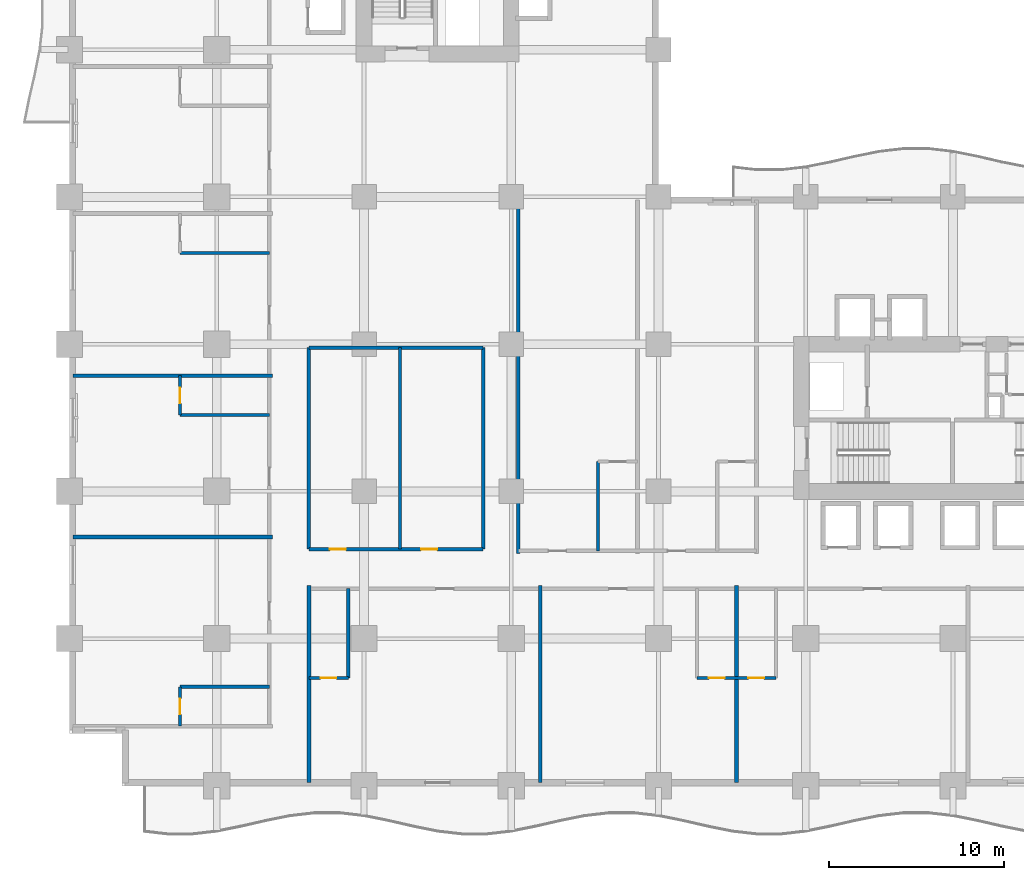
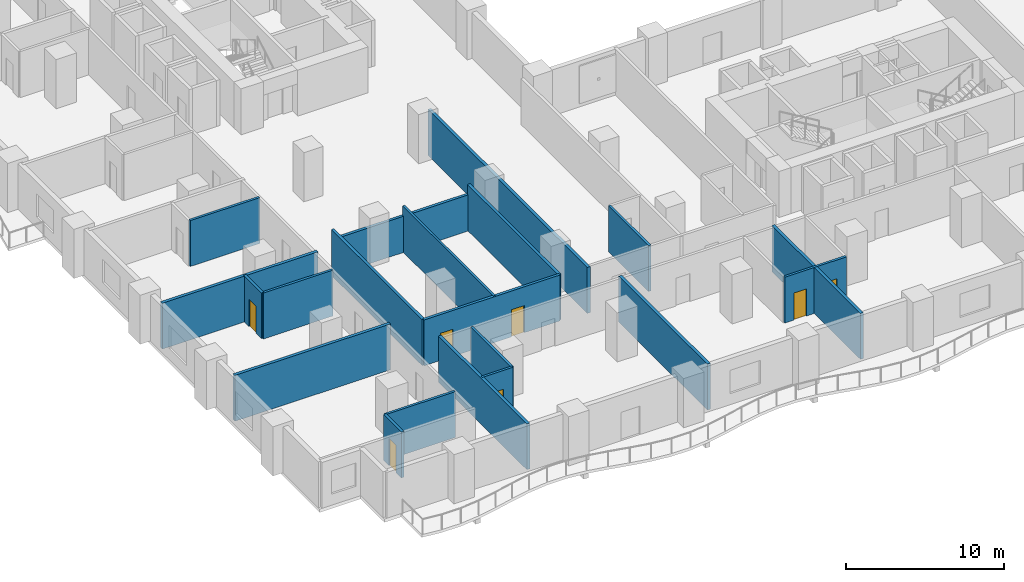
# One storey, part 4 of 22: 20 walls, 7 doors, 7 openings.
"""IFC4 building model written with IfcOpenShell, lengths in metres."""

from ifc_helpers import new_model, si_unit, direction, frame, frame_2d, origin, place, context, subcontext, project, spatial, rectangle, extrude, material, layer, layer_set, type_object, element, fill, save


model = new_model("IFC4")

# Units and contexts
model_context = context("Model", 3, precision=1e-05, world=origin(), true_north=direction((0.0, 1.0)))
body_context = subcontext(model_context, "Body", "Model", "MODEL_VIEW")
ifc_project = project(units=[si_unit("LENGTHUNIT", "METRE"), si_unit("AREAUNIT", "SQUARE_METRE"), si_unit("VOLUMEUNIT", "CUBIC_METRE"), si_unit("PLANEANGLEUNIT", "RADIAN"), si_unit("MASSUNIT", "GRAM", prefix="KILO")], contexts=[model_context])

# Site, building, storey
site_placement = place(None, origin())
site = spatial("IfcSite", under=ifc_project, at=site_placement, CompositionType="ELEMENT")
building_placement = place(site_placement, origin())
building = spatial("IfcBuilding", under=site, at=building_placement, Name="Koriwani Terraces Tower", CompositionType="ELEMENT")
storey_placement = place(building_placement, frame((0.0, 0.0, 51.0)))
storey = spatial("IfcBuildingStorey", under=building, at=storey_placement, Name="L11", CompositionType="ELEMENT", Elevation=51.0)

# Wall, openings, doors
ifc_material_1 = material(Name="Autoclaved Cellular Concrete Blockwork", Category="masonry")
ifc_layer_1 = layer(ifc_material_1, 0.199951171875, Name="Autoclaved Cellular Concrete Blockwork")
ifc_layer_set_1 = layer_set([ifc_layer_1], Name="Autoclaved Cellular Concrete Blockwork")
wall_type_1 = type_object("IfcWallType", Name="WALL_CORRIDOR_200", PredefinedType="PARTITIONING", material=ifc_layer_set_1)
wall_1_placement = place(storey_placement, frame((13.64990234375, 13.5, 0.0), z_axis=(0.0, 0.0, 1.0), x_axis=(1.0, 0.0, 0.0)))
wall_1 = element("IfcWall", 1, at=wall_1_placement, inside=storey, type_object=wall_type_1, Name="L11 Interior Wall WHK-L11-S", PredefinedType="PARTITIONING", context=body_context, shape_type="SweptSolid", body=[
    extrude(rectangle(XDim=9.9501953125, YDim=0.199951171875, at=frame_2d((4.97509765625, 0.0))), origin(), (0.0, 0.0, 1.0), 3.550048828125),
])
opening_1_placement = place(wall_1_placement, frame((1.199951171875, 0.0, 0.0)))
opening_1 = element("IfcOpeningElement", 2, at=opening_1_placement, cuts=wall_1, Name="Opening D-06", PredefinedType="OPENING", context=body_context, shape_type="SweptSolid", body=[
    extrude(rectangle(XDim=0.919921875, YDim=2.10009765625, at=frame_2d((0.4599609375, 1.050048828125))), frame((0.0, 0.10986328125, 0.0), z_axis=(0.0, -1.0, 0.0), x_axis=(1.0, 0.0, 0.0)), (0.0, 0.0, 1.0), 0.219970703125),
])
opening_2_placement = place(wall_1_placement, frame((6.39990234375, 0.0, 0.0)))
opening_2 = element("IfcOpeningElement", 3, at=opening_2_placement, cuts=wall_1, Name="Opening D-06", PredefinedType="OPENING", context=body_context, shape_type="SweptSolid", body=[
    extrude(rectangle(XDim=0.919921875, YDim=2.10009765625, at=frame_2d((0.4599609375, 1.050048828125))), frame((0.0, 0.10986328125, 0.0), z_axis=(0.0, -1.0, 0.0), x_axis=(1.0, 0.0, 0.0)), (0.0, 0.0, 1.0), 0.219970703125),
])
ifc_material_2 = material(Name="Architectural Oak Fire Door", Category="wood")
door_type_1 = type_object("IfcDoorType", Name="DOOR_ROOM_INT_920X2100", OperationType="NOTDEFINED", PredefinedType="DOOR", material=ifc_material_2)
door_1_placement = place(opening_1_placement, origin())
door_1 = element("IfcDoor", 4, at=door_1_placement, inside=storey, type_object=door_type_1, Name="L11 Housekeeping and Linen Room Door", OperationType="SINGLE_SWING_LEFT", OverallHeight=2.10009765625, OverallWidth=0.919921875, PredefinedType="DOOR", context=body_context, shape_type="SweptSolid", body=[
    extrude(rectangle(XDim=0.919921875, YDim=2.10009765625, at=frame_2d((0.4599609375, 1.050048828125))), frame((0.0, 0.02490234375, 0.0), z_axis=(0.0, -1.0, 0.0), x_axis=(1.0, 0.0, 0.0)), (0.0, 0.0, 1.0), 0.050048828125),
])
fill(opening_1, door_1)
door_2_placement = place(opening_2_placement, origin())
door_2 = element("IfcDoor", 5, at=door_2_placement, inside=storey, type_object=door_type_1, Name="L11 Guest Study Lounge Door", OperationType="SINGLE_SWING_RIGHT", OverallHeight=2.10009765625, OverallWidth=0.919921875, PredefinedType="DOOR", context=body_context, shape_type="SweptSolid", body=[
    extrude(rectangle(XDim=0.919921875, YDim=2.10009765625, at=frame_2d((0.4599609375, 1.050048828125))), frame((0.0, 0.02490234375, 0.0), z_axis=(0.0, -1.0, 0.0), x_axis=(1.0, 0.0, 0.0)), (0.0, 0.0, 1.0), 0.050048828125),
])
fill(opening_2, door_2)

# Walls
wall_2_placement = place(storey_placement, frame((13.64990234375, 25.0, 0.0), z_axis=(0.0, 0.0, 1.0), x_axis=(1.0, 0.0, 0.0)))
element("IfcWall", 6, at=wall_2_placement, inside=storey, type_object=wall_type_1, Name="L11 Interior Wall WHK-L11-N", PredefinedType="PARTITIONING", context=body_context, shape_type="SweptSolid", body=[
    extrude(rectangle(XDim=9.9501953125, YDim=0.199951171875, at=frame_2d((4.97509765625, 0.0))), origin(), (0.0, 0.0, 1.0), 2.800048828125),
])
for number, where, z_axis, x_axis, name in (
    (7, (13.64990234375, 13.5, 0.0), (0.0, 0.0, 1.0), (0.0, 1.0, 0.0), "L11 Interior Wall WHK-L11-W"),
    (8, (23.60009765625, 13.5, 0.0), (0.0, 0.0, 1.0), (0.0, 1.0, 0.0), "L11 Interior Wall WHK-L11-E"),
):
    element("IfcWall", number, at=place(storey_placement, frame(where, z_axis=z_axis, x_axis=x_axis)), inside=storey, type_object=wall_type_1, Name=name, PredefinedType="PARTITIONING", context=body_context, shape_type="SweptSolid", body=[
        extrude(rectangle(XDim=11.5, YDim=0.199951171875, at=frame_2d((5.75, 0.0))), origin(), (0.0, 0.0, 1.0), 3.550048828125),
    ])
ifc_layer_2 = layer(ifc_material_1, 0.219970703125, Name="Autoclaved Cellular Concrete Blockwork")
ifc_layer_set_2 = layer_set([ifc_layer_2], Name="Autoclaved Cellular Concrete Blockwork")
wall_type_2 = type_object("IfcWallType", Name="WALL_DEMISING_220", PredefinedType="PARTITIONING", material=ifc_layer_set_2)
wall_3_placement = place(storey_placement, frame((25.60009765625, 13.25, 0.0), z_axis=(0.0, 0.0, 1.0), x_axis=(0.0, 1.0, 0.0)))
element("IfcWall", 9, at=wall_3_placement, inside=storey, type_object=wall_type_2, Name="L11 Interior Wall WDEM-L11-SWI-0", PredefinedType="PARTITIONING", context=body_context, shape_type="SweptSolid", body=[
    extrude(rectangle(XDim=20.179931640625, YDim=0.219970703125, at=frame_2d((10.08984375, 0.0))), origin(), (0.0, 0.0, 1.0), 3.550048828125),
])
for number, where, z_axis, x_axis, name in (
    (10, (0.199951171875, 14.199951171875, 0.0), (0.0, 0.0, 1.0), (1.0, 0.0, 0.0), "L11 Interior Wall WDEM-L11-NW-1"),
    (11, (0.199951171875, 23.39990234375, 0.0), (0.0, 0.0, 1.0), (1.0, 0.0, 0.0), "L11 Interior Wall WDEM-L11-NW-2"),
):
    element("IfcWall", number, at=place(storey_placement, frame(where, z_axis=z_axis, x_axis=x_axis)), inside=storey, type_object=wall_type_2, Name=name, PredefinedType="PARTITIONING", context=body_context, shape_type="SweptSolid", body=[
        extrude(rectangle(XDim=11.380126953125, YDim=0.219970703125, at=frame_2d((5.68994140625, 0.0))), origin(), (0.0, 0.0, 1.0), 3.550048828125),
    ])
for number, where, z_axis, x_axis, name in (
    (12, (13.64990234375, 0.199951171875, 0.0), (0.0, 0.0, 1.0), (0.0, 1.0, 0.0), "L11 Interior Wall WDEM-L11-SW-0"),
    (13, (26.85009765625, 0.199951171875, 0.0), (0.0, 0.0, 1.0), (0.0, 1.0, 0.0), "L11 Interior Wall WDEM-L11-SW-1"),
    (14, (38.050048828125, 0.199951171875, 0.0), (0.0, 0.0, 1.0), (0.0, 1.0, 0.0), "L11 Interior Wall WDEM-L11-SW-2"),
):
    element("IfcWall", number, at=place(storey_placement, frame(where, z_axis=z_axis, x_axis=x_axis)), inside=storey, type_object=wall_type_2, Name=name, PredefinedType="PARTITIONING", context=body_context, shape_type="SweptSolid", body=[
        extrude(rectangle(XDim=11.22998046875, YDim=0.219970703125, at=frame_2d((5.614990234375, 0.0))), origin(), (0.0, 0.0, 1.0), 3.550048828125),
    ])
ifc_material_3 = material(Name="Fire-Rated Acoustic Gypsum Partition", Category="masonry")
ifc_layer_3 = layer(ifc_material_3, 0.179931640625, Name="Fire-Rated Acoustic Gypsum Partition")
ifc_layer_set_3 = layer_set([ifc_layer_3], Name="Fire-Rated Acoustic Gypsum Partition")
wall_type_3 = type_object("IfcWallType", Name="WALL_PLUMBING_180", PredefinedType="PLUMBINGWALL", material=ifc_layer_set_3)
wall_4_placement = place(storey_placement, frame((30.14990234375, 13.39990234375, 0.0), z_axis=(0.0, 0.0, 1.0), x_axis=(0.0, 1.0, 0.0)))
element("IfcWall", 15, at=wall_4_placement, inside=storey, type_object=wall_type_3, Name="L11 Interior Wall WBTH2-L11-SWI-0", PredefinedType="PLUMBINGWALL", context=body_context, shape_type="SweptSolid", body=[
    extrude(rectangle(XDim=5.10009765625, YDim=0.179931640625, at=frame_2d((2.550048828125, 0.0))), origin(), (0.0, 0.0, 1.0), 3.550048828125),
])

# Wall, opening, door
wall_5_placement = place(storey_placement, frame((6.300048828125, 3.39990234375, 0.0), z_axis=(0.0, 0.0, 1.0), x_axis=(0.0, 1.0, 0.0)))
wall_5 = element("IfcWall", 16, at=wall_5_placement, inside=storey, type_object=wall_type_3, Name="L11 Interior Wall WBTH1-L11-NW-0", PredefinedType="PLUMBINGWALL", context=body_context, shape_type="SweptSolid", body=[
    extrude(rectangle(XDim=2.25, YDim=0.179931640625, at=frame_2d((1.125, 0.0))), origin(), (0.0, 0.0, 1.0), 3.550048828125),
])
opening_3_placement = place(wall_5_placement, frame((0.675048828125, 0.0, 0.0)))
opening_3 = element("IfcOpeningElement", 17, at=opening_3_placement, cuts=wall_5, Name="Opening D-07", PredefinedType="OPENING", context=body_context, shape_type="SweptSolid", body=[
    extrude(rectangle(XDim=0.89990234375, YDim=2.10009765625, at=frame_2d((0.449951171875, 1.050048828125))), frame((0.0, 0.10009765625, 0.0), z_axis=(0.0, -1.0, 0.0), x_axis=(1.0, 0.0, 0.0)), (0.0, 0.0, 1.0), 0.199951171875),
])
door_type_2 = type_object("IfcDoorType", Name="DOOR_BATH_INT_900X2100", OperationType="NOTDEFINED", PredefinedType="DOOR", material=ifc_material_2)
door_3_placement = place(opening_3_placement, origin())
door_3 = element("IfcDoor", 18, at=door_3_placement, inside=storey, type_object=door_type_2, Name="En-Suite Bathroom 11NW1 Door", OperationType="SINGLE_SWING_RIGHT", OverallHeight=2.10009765625, OverallWidth=0.89990234375, PredefinedType="DOOR", context=body_context, shape_type="SweptSolid", body=[
    extrude(rectangle(XDim=0.89990234375, YDim=2.10009765625, at=frame_2d((0.449951171875, 1.050048828125))), frame((0.0, 0.02490234375, 0.0), z_axis=(0.0, -1.0, 0.0), x_axis=(1.0, 0.0, 0.0)), (0.0, 0.0, 1.0), 0.050048828125),
])
fill(opening_3, door_3)

# Wall
wall_6_placement = place(storey_placement, frame((6.300048828125, 5.64990234375, 0.0), z_axis=(0.0, 0.0, 1.0), x_axis=(1.0, 0.0, 0.0)))
element("IfcWall", 19, at=wall_6_placement, inside=storey, type_object=wall_type_3, Name="L11 Interior Wall WBTH2-L11-NW-0", PredefinedType="PLUMBINGWALL", context=body_context, shape_type="SweptSolid", body=[
    extrude(rectangle(XDim=5.099853515625, YDim=0.179931640625, at=frame_2d((2.5498046875, 0.0))), origin(), (0.0, 0.0, 1.0), 3.550048828125),
])

# Wall, opening, door
wall_7_placement = place(storey_placement, frame((6.300048828125, 21.14990234375, 0.0), z_axis=(0.0, 0.0, 1.0), x_axis=(0.0, 1.0, 0.0)))
wall_7 = element("IfcWall", 20, at=wall_7_placement, inside=storey, type_object=wall_type_3, Name="L11 Interior Wall WBTH1-L11-NW-1", PredefinedType="PLUMBINGWALL", context=body_context, shape_type="SweptSolid", body=[
    extrude(rectangle(XDim=2.25, YDim=0.179931640625, at=frame_2d((1.125, 0.0))), origin(), (0.0, 0.0, 1.0), 3.550048828125),
])
opening_4_placement = place(wall_7_placement, frame((0.675048828125, 0.0, 0.0)))
opening_4 = element("IfcOpeningElement", 21, at=opening_4_placement, cuts=wall_7, Name="Opening D-07", PredefinedType="OPENING", context=body_context, shape_type="SweptSolid", body=[
    extrude(rectangle(XDim=0.89990234375, YDim=2.10009765625, at=frame_2d((0.449951171875, 1.050048828125))), frame((0.0, 0.10009765625, 0.0), z_axis=(0.0, -1.0, 0.0), x_axis=(1.0, 0.0, 0.0)), (0.0, 0.0, 1.0), 0.199951171875),
])
door_4_placement = place(opening_4_placement, origin())
door_4 = element("IfcDoor", 22, at=door_4_placement, inside=storey, type_object=door_type_2, Name="En-Suite Bathroom 11NW2 Door", OperationType="SINGLE_SWING_RIGHT", OverallHeight=2.10009765625, OverallWidth=0.89990234375, PredefinedType="DOOR", context=body_context, shape_type="SweptSolid", body=[
    extrude(rectangle(XDim=0.89990234375, YDim=2.10009765625, at=frame_2d((0.449951171875, 1.050048828125))), frame((0.0, 0.02490234375, 0.0), z_axis=(0.0, -1.0, 0.0), x_axis=(1.0, 0.0, 0.0)), (0.0, 0.0, 1.0), 0.050048828125),
])
fill(opening_4, door_4)

# Walls
for number, where, z_axis, x_axis, name in (
    (23, (6.300048828125, 21.14990234375, 0.0), (0.0, 0.0, 1.0), (1.0, 0.0, 0.0), "L11 Interior Wall WBTH2-L11-NW-1"),
    (24, (6.300048828125, 30.39990234375, 0.0), (0.0, 0.0, 1.0), (1.0, 0.0, 0.0), "L11 Interior Wall WBTH2-L11-NW-2"),
):
    element("IfcWall", number, at=place(storey_placement, frame(where, z_axis=z_axis, x_axis=x_axis)), inside=storey, type_object=wall_type_3, Name=name, PredefinedType="PLUMBINGWALL", context=body_context, shape_type="SweptSolid", body=[
        extrude(rectangle(XDim=5.099853515625, YDim=0.179931640625, at=frame_2d((2.5498046875, 0.0))), origin(), (0.0, 0.0, 1.0), 3.550048828125),
    ])

# Wall, opening, door
wall_8_placement = place(storey_placement, frame((13.64990234375, 6.14990234375, 0.0), z_axis=(0.0, 0.0, 1.0), x_axis=(1.0, 0.0, 0.0)))
wall_8 = element("IfcWall", 25, at=wall_8_placement, inside=storey, type_object=wall_type_3, Name="L11 Interior Wall WBTH1-L11-SW-0", PredefinedType="PLUMBINGWALL", context=body_context, shape_type="SweptSolid", body=[
    extrude(rectangle(XDim=2.25, YDim=0.179931640625, at=frame_2d((1.125, 0.0))), origin(), (0.0, 0.0, 1.0), 3.550048828125),
])
opening_5_placement = place(wall_8_placement, frame((0.675048828125, 0.0, 0.0)))
opening_5 = element("IfcOpeningElement", 26, at=opening_5_placement, cuts=wall_8, Name="Opening D-07", PredefinedType="OPENING", context=body_context, shape_type="SweptSolid", body=[
    extrude(rectangle(XDim=0.89990234375, YDim=2.10009765625, at=frame_2d((0.449951171875, 1.050048828125))), frame((0.0, 0.10009765625, 0.0), z_axis=(0.0, -1.0, 0.0), x_axis=(1.0, 0.0, 0.0)), (0.0, 0.0, 1.0), 0.199951171875),
])
door_5_placement = place(opening_5_placement, origin())
door_5 = element("IfcDoor", 27, at=door_5_placement, inside=storey, type_object=door_type_2, Name="En-Suite Bathroom 11SW1 Door", OperationType="SINGLE_SWING_RIGHT", OverallHeight=2.10009765625, OverallWidth=0.89990234375, PredefinedType="DOOR", context=body_context, shape_type="SweptSolid", body=[
    extrude(rectangle(XDim=0.89990234375, YDim=2.10009765625, at=frame_2d((0.449951171875, 1.050048828125))), frame((0.0, 0.02490234375, 0.0), z_axis=(0.0, -1.0, 0.0), x_axis=(1.0, 0.0, 0.0)), (0.0, 0.0, 1.0), 0.050048828125),
])
fill(opening_5, door_5)

# Wall
wall_9_placement = place(storey_placement, frame((15.89990234375, 6.14990234375, 0.0), z_axis=(0.0, 0.0, 1.0), x_axis=(0.0, 1.0, 0.0)))
element("IfcWall", 28, at=wall_9_placement, inside=storey, type_object=wall_type_3, Name="L11 Interior Wall WBTH2-L11-SW-0", PredefinedType="PLUMBINGWALL", context=body_context, shape_type="SweptSolid", body=[
    extrude(rectangle(XDim=5.10009765625, YDim=0.179931640625, at=frame_2d((2.550048828125, 0.0))), origin(), (0.0, 0.0, 1.0), 3.550048828125),
])

# Wall, openings, doors
wall_10_placement = place(storey_placement, frame((35.800048828125, 6.14990234375, 0.0), z_axis=(0.0, 0.0, 1.0), x_axis=(1.0, 0.0, 0.0)))
wall_10 = element("IfcWall", 29, at=wall_10_placement, inside=storey, type_object=wall_type_3, Name="L11 Interior Wall WBTH1-L11-SW-1", PredefinedType="PLUMBINGWALL", context=body_context, shape_type="SweptSolid", body=[
    extrude(rectangle(XDim=4.5, YDim=0.179931640625, at=frame_2d((2.25, 0.0))), origin(), (0.0, 0.0, 1.0), 3.550048828125),
])
opening_6_placement = place(wall_10_placement, frame((0.675048828125, 0.0, 0.0)))
opening_6 = element("IfcOpeningElement", 30, at=opening_6_placement, cuts=wall_10, Name="Opening D-07", PredefinedType="OPENING", context=body_context, shape_type="SweptSolid", body=[
    extrude(rectangle(XDim=0.89990234375, YDim=2.10009765625, at=frame_2d((0.449951171875, 1.050048828125))), frame((0.0, 0.10009765625, 0.0), z_axis=(0.0, -1.0, 0.0), x_axis=(1.0, 0.0, 0.0)), (0.0, 0.0, 1.0), 0.199951171875),
])
opening_7_placement = place(wall_10_placement, frame((2.925048828125, 0.0, 0.0)))
opening_7 = element("IfcOpeningElement", 31, at=opening_7_placement, cuts=wall_10, Name="Opening D-07", PredefinedType="OPENING", context=body_context, shape_type="SweptSolid", body=[
    extrude(rectangle(XDim=0.89990234375, YDim=2.10009765625, at=frame_2d((0.449951171875, 1.050048828125))), frame((0.0, 0.10009765625, 0.0), z_axis=(0.0, -1.0, 0.0), x_axis=(1.0, 0.0, 0.0)), (0.0, 0.0, 1.0), 0.199951171875),
])
door_6_placement = place(opening_6_placement, origin())
door_6 = element("IfcDoor", 32, at=door_6_placement, inside=storey, type_object=door_type_2, Name="En-Suite Bathroom 11SW2 Door", OperationType="SINGLE_SWING_RIGHT", OverallHeight=2.10009765625, OverallWidth=0.89990234375, PredefinedType="DOOR", context=body_context, shape_type="SweptSolid", body=[
    extrude(rectangle(XDim=0.89990234375, YDim=2.10009765625, at=frame_2d((0.449951171875, 1.050048828125))), frame((0.0, 0.02490234375, 0.0), z_axis=(0.0, -1.0, 0.0), x_axis=(1.0, 0.0, 0.0)), (0.0, 0.0, 1.0), 0.050048828125),
])
fill(opening_6, door_6)
door_7_placement = place(opening_7_placement, origin())
door_7 = element("IfcDoor", 33, at=door_7_placement, inside=storey, type_object=door_type_2, Name="En-Suite Bathroom 11SW3 Door", OperationType="SINGLE_SWING_RIGHT", OverallHeight=2.10009765625, OverallWidth=0.89990234375, PredefinedType="DOOR", context=body_context, shape_type="SweptSolid", body=[
    extrude(rectangle(XDim=0.89990234375, YDim=2.10009765625, at=frame_2d((0.449951171875, 1.050048828125))), frame((0.0, 0.02490234375, 0.0), z_axis=(0.0, -1.0, 0.0), x_axis=(1.0, 0.0, 0.0)), (0.0, 0.0, 1.0), 0.050048828125),
])
fill(opening_7, door_7)

# Wall
ifc_layer_4 = layer(ifc_material_3, 0.159912109375, Name="Fire-Rated Acoustic Gypsum Partition")
ifc_layer_set_4 = layer_set([ifc_layer_4], Name="Fire-Rated Acoustic Gypsum Partition")
wall_type_4 = type_object("IfcWallType", Name="WALL_SUITE_160", PredefinedType="PARTITIONING", material=ifc_layer_set_4)
wall_11_placement = place(storey_placement, frame((18.85009765625, 13.5, 0.0), z_axis=(0.0, 0.0, 1.0), x_axis=(0.0, 1.0, 0.0)))
element("IfcWall", 34, at=wall_11_placement, inside=storey, type_object=wall_type_4, Name="L11 Interior Wall WHK-L11-M", PredefinedType="PARTITIONING", context=body_context, shape_type="SweptSolid", body=[
    extrude(rectangle(XDim=11.5, YDim=0.159912109375, at=frame_2d((5.75, 0.0))), origin(), (0.0, 0.0, 1.0), 3.550048828125),
])

save(model, "model.ifc")
